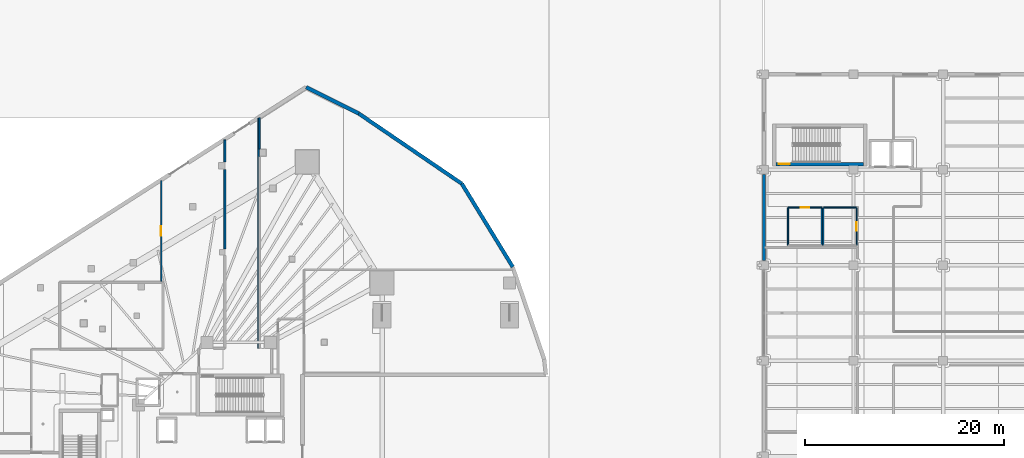
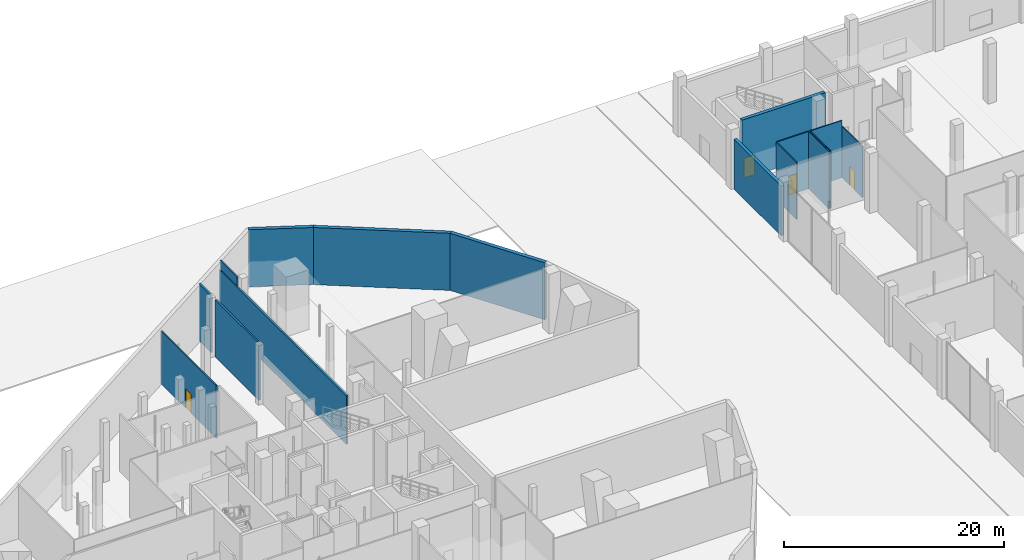
# One storey, part 32 of 45: 16 walls, 4 doors, 4 openings.
"""IFC4 building model written with IfcOpenShell, lengths in metres."""

from ifc_helpers import new_model, si_unit, direction, frame, frame_2d, origin, place, context, subcontext, project, spatial, rectangle, extrude, material, layer, layer_set, type_object, element, fill, save


model = new_model("IFC4")

# Units and contexts
model_context = context("Model", 3, precision=1e-05, world=origin(), true_north=direction((0.0, 1.0)))
body_context = subcontext(model_context, "Body", "Model", "MODEL_VIEW")
ifc_project = project(units=[si_unit("LENGTHUNIT", "METRE"), si_unit("AREAUNIT", "SQUARE_METRE"), si_unit("VOLUMEUNIT", "CUBIC_METRE"), si_unit("PLANEANGLEUNIT", "RADIAN"), si_unit("MASSUNIT", "GRAM", prefix="KILO")], contexts=[model_context])

# Site, building, storey
site_placement = place(None, origin())
site = spatial("IfcSite", under=ifc_project, at=site_placement, CompositionType="ELEMENT")
building_placement = place(site_placement, origin())
building = spatial("IfcBuilding", under=site, at=building_placement, Name="Qorvath Tower", CompositionType="ELEMENT")
storey_placement = place(building_placement, origin())
storey = spatial("IfcBuildingStorey", under=building, at=storey_placement, Name="L00", CompositionType="ELEMENT", Elevation=0.0)

# Walls
ifc_material_1 = material(Name="Gypsum shaftliner on steel studs", Category="steel")
ifc_layer_1 = layer(ifc_material_1, 0.179931640625)
ifc_layer_set_1 = layer_set([ifc_layer_1], Name="FW-LOBBY")
wall_type_1 = type_object("IfcWallType", Name="FW-LOBBY", PredefinedType="PARTITIONING", material=ifc_layer_set_1)
wall_1_placement = place(storey_placement, frame((-18.39990234375, 10.875, 0.0), z_axis=(0.0, 0.0, 1.0), x_axis=(0.0, 1.0, 0.0)))
element("IfcWall", 1, at=wall_1_placement, inside=storey, type_object=wall_type_1, Name="Interior Partition IW-T1-L00-008", PredefinedType="PARTITIONING", context=body_context, shape_type="SweptSolid", body=[
    extrude(rectangle(XDim=23.09423828125, YDim=0.179931640625, at=frame_2d((11.547119140625, 0.0))), origin(), (0.0, 0.0, 1.0), 5.376953125),
])
wall_2_placement = place(storey_placement, frame((-21.800048828125, 31.796142578125, 0.0), z_axis=(0.0, 0.0, 1.0), x_axis=(0.0, -1.0, 0.0)))
element("IfcWall", 2, at=wall_2_placement, inside=storey, type_object=wall_type_1, Name="Interior Partition IW-T1-L00-009", PredefinedType="PARTITIONING", context=body_context, shape_type="SweptSolid", body=[
    extrude(rectangle(XDim=2.200439453125, YDim=0.179931640625, at=frame_2d((1.10009765625, 0.0))), origin(), (0.0, 0.0, 1.0), 6.340087890625),
])
wall_3_placement = place(storey_placement, frame((-21.800048828125, 28.815673828125, 0.0), z_axis=(0.0, 0.0, 1.0), x_axis=(0.0, -1.0, 0.0)))
element("IfcWall", 3, at=wall_3_placement, inside=storey, type_object=wall_type_1, Name="Interior Partition IW-T1-L00-010", PredefinedType="PARTITIONING", context=body_context, shape_type="SweptSolid", body=[
    extrude(rectangle(XDim=7.980712890625, YDim=0.179931640625, at=frame_2d((3.990234375, 0.0))), origin(), (0.0, 0.0, 1.0), 6.340087890625),
])
ifc_material_2 = material(Name="Double acoustic gypsum board on steel studs", Category="steel")
ifc_layer_2 = layer(ifc_material_2, 0.159912109375)
ifc_layer_set_2 = layer_set([ifc_layer_2], Name="IW-ACOUSTIC-160")
wall_type_2 = type_object("IfcWallType", Name="IW-ACOUSTIC-160", PredefinedType="PARTITIONING", material=ifc_layer_set_2)
wall_4_placement = place(storey_placement, frame((-18.300048828125, 34.032958984375, 0.0), z_axis=(0.0, 0.0, 1.0), x_axis=(0.0, -1.0, 0.0)))
element("IfcWall", 4, at=wall_4_placement, inside=storey, type_object=wall_type_2, Name="Interior Partition IW-T1-L00-041", PredefinedType="PARTITIONING", context=body_context, shape_type="SweptSolid", body=[
    extrude(rectangle(XDim=3.14306640625, YDim=0.159912109375, at=frame_2d((1.571533203125, 0.0))), origin(), (0.0, 0.0, 1.0), 6.340087890625),
])

# Wall, opening, door
ifc_material_3 = material(Name="Gypsum board on metal studs with mineral wool", Category="gypsum")
ifc_layer_3 = layer(ifc_material_3, 0.125)
ifc_layer_set_3 = layer_set([ifc_layer_3], Name="IW-PART-125")
wall_type_3 = type_object("IfcWallType", Name="IW-PART-125", PredefinedType="PARTITIONING", material=ifc_layer_set_3)
wall_5_placement = place(storey_placement, frame((-28.199951171875, 17.610107421875, 0.0), z_axis=(0.0, 0.0, 1.0), x_axis=(0.0, 1.0, 0.0)))
wall_5 = element("IfcWall", 5, at=wall_5_placement, inside=storey, type_object=wall_type_3, Name="Interior Partition IW-T1-L00-053", PredefinedType="PARTITIONING", context=body_context, shape_type="SweptSolid", body=[
    extrude(rectangle(XDim=10.095458984375, YDim=0.125, at=frame_2d((5.0478515625, 0.0))), origin(), (0.0, 0.0, 1.0), 5.85302734375),
])
opening_1_placement = place(wall_5_placement, frame((4.57275390625, 0.0, 0.0)))
opening_1 = element("IfcOpeningElement", 6, at=opening_1_placement, cuts=wall_5, Name="Opening D-T1-L00-11", PredefinedType="OPENING", context=body_context, shape_type="SweptSolid", body=[
    extrude(rectangle(XDim=0.949951171875, YDim=2.14990234375, at=frame_2d((0.47509765625, 1.074951171875))), frame((0.0, 0.072509765625, 0.0), z_axis=(0.0, -1.0, 0.0), x_axis=(1.0, 0.0, 0.0)), (0.0, 0.0, 1.0), 0.14501953125),
])
ifc_material_4 = material(Name="Solid-core American white oak veneer", Category="wood")
door_type_1 = type_object("IfcDoorType", Name="D-01", OperationType="NOTDEFINED", PredefinedType="DOOR", material=ifc_material_4)
door_1_placement = place(opening_1_placement, origin())
door_1 = element("IfcDoor", 7, at=door_1_placement, inside=storey, type_object=door_type_1, Name="Security Screening and Concierge Suite Door D-T1-L00-11", OperationType="SINGLE_SWING_LEFT", OverallHeight=2.14990234375, OverallWidth=0.949951171875, PredefinedType="DOOR", context=body_context, shape_type="SweptSolid", body=[
    extrude(rectangle(XDim=0.949951171875, YDim=2.14990234375, at=frame_2d((0.47509765625, 1.074951171875))), frame((0.0, 0.02490234375, 0.0), z_axis=(0.0, -1.0, 0.0), x_axis=(1.0, 0.0, 0.0)), (0.0, 0.0, 1.0), 0.050048828125),
])
fill(opening_1, door_1)

# Wall
ifc_material_5 = material(Name="Moisture-resistant cement board on metal studs", Category="gypsum")
ifc_layer_4 = layer(ifc_material_5, 0.110107421875)
ifc_layer_set_4 = layer_set([ifc_layer_4], Name="IW-WC-110")
wall_type_4 = type_object("IfcWallType", Name="IW-WC-110", PredefinedType="PARTITIONING", material=ifc_layer_set_4)
wall_6_placement = place(storey_placement, frame((38.199951171875, 21.22509765625, 0.0), z_axis=(0.0, 0.0, 1.0), x_axis=(0.0, 1.0, 0.0)))
element("IfcWall", 8, at=wall_6_placement, inside=storey, type_object=wall_type_4, Name="Interior Partition IW-LB-L00-002", PredefinedType="PARTITIONING", context=body_context, shape_type="SweptSolid", body=[
    extrude(rectangle(XDim=3.75, YDim=0.110107421875, at=frame_2d((1.875, 0.0))), origin(), (0.0, 0.0, 1.0), 6.340087890625),
])

# Wall, opening, door
wall_7_placement = place(storey_placement, frame((38.175048828125, 25.0, 0.0), z_axis=(0.0, 0.0, 1.0), x_axis=(-1.0, 0.0, 0.0)))
wall_7 = element("IfcWall", 9, at=wall_7_placement, inside=storey, type_object=wall_type_4, Name="Interior Partition IW-LB-L00-003", PredefinedType="PARTITIONING", context=body_context, shape_type="SweptSolid", body=[
    extrude(rectangle(XDim=3.35009765625, YDim=0.110107421875, at=frame_2d((1.675048828125, 0.0))), origin(), (0.0, 0.0, 1.0), 6.340087890625),
])
opening_2_placement = place(wall_7_placement, frame((1.235107421875, 0.0, 0.0)))
opening_2 = element("IfcOpeningElement", 10, at=opening_2_placement, cuts=wall_7, Name="Opening D-LB-L00-01", PredefinedType="OPENING", context=body_context, shape_type="SweptSolid", body=[
    extrude(rectangle(XDim=0.8798828125, YDim=2.10009765625, at=frame_2d((0.43994140625, 1.050048828125))), frame((0.0, 0.06494140625, 0.0), z_axis=(0.0, -1.0, 0.0), x_axis=(1.0, 0.0, 0.0)), (0.0, 0.0, 1.0), 0.130126953125),
])
ifc_material_6 = material(Name="Painted galvanised hollow metal", Category="steel")
door_type_2 = type_object("IfcDoorType", Name="FD-60N", OperationType="NOTDEFINED", PredefinedType="DOOR", material=ifc_material_6)
door_2_placement = place(opening_2_placement, origin())
door_2 = element("IfcDoor", 11, at=door_2_placement, inside=storey, type_object=door_type_2, Name="WC East Wing North L00 Door D-LB-L00-01", OperationType="SINGLE_SWING_LEFT", OverallHeight=2.10009765625, OverallWidth=0.8798828125, PredefinedType="DOOR", context=body_context, shape_type="SweptSolid", body=[
    extrude(rectangle(XDim=0.8798828125, YDim=2.10009765625, at=frame_2d((0.43994140625, 1.050048828125))), frame((0.0, 0.02490234375, 0.0), z_axis=(0.0, -1.0, 0.0), x_axis=(1.0, 0.0, 0.0)), (0.0, 0.0, 1.0), 0.050048828125),
])
fill(opening_2, door_2)

# Wall
wall_8_placement = place(storey_placement, frame((34.800048828125, 24.97509765625, 0.0), z_axis=(0.0, 0.0, 1.0), x_axis=(0.0, -1.0, 0.0)))
element("IfcWall", 12, at=wall_8_placement, inside=storey, type_object=wall_type_4, Name="Interior Partition IW-LB-L00-004", PredefinedType="PARTITIONING", context=body_context, shape_type="SweptSolid", body=[
    extrude(rectangle(XDim=3.75, YDim=0.110107421875, at=frame_2d((1.875, 0.0))), origin(), (0.0, 0.0, 1.0), 6.340087890625),
])

# Wall, opening, door
wall_9_placement = place(storey_placement, frame((41.699951171875, 21.22509765625, 0.0), z_axis=(0.0, 0.0, 1.0), x_axis=(0.0, 1.0, 0.0)))
wall_9 = element("IfcWall", 13, at=wall_9_placement, inside=storey, type_object=wall_type_4, Name="Interior Partition IW-LB-L00-006", PredefinedType="PARTITIONING", context=body_context, shape_type="SweptSolid", body=[
    extrude(rectangle(XDim=3.75, YDim=0.110107421875, at=frame_2d((1.875, 0.0))), origin(), (0.0, 0.0, 1.0), 5.694091796875),
])
opening_3_placement = place(wall_9_placement, frame((1.43505859375, 0.0, 0.0)))
opening_3 = element("IfcOpeningElement", 14, at=opening_3_placement, cuts=wall_9, Name="Opening D-LB-L00-02", PredefinedType="OPENING", context=body_context, shape_type="SweptSolid", body=[
    extrude(rectangle(XDim=0.8798828125, YDim=2.10009765625, at=frame_2d((0.43994140625, 1.050048828125))), frame((0.0, 0.06494140625, 0.0), z_axis=(0.0, -1.0, 0.0), x_axis=(1.0, 0.0, 0.0)), (0.0, 0.0, 1.0), 0.130126953125),
])
door_3_placement = place(opening_3_placement, origin())
door_3 = element("IfcDoor", 15, at=door_3_placement, inside=storey, type_object=door_type_2, Name="WC East Wing South L00 Door D-LB-L00-02", OperationType="SINGLE_SWING_RIGHT", OverallHeight=2.10009765625, OverallWidth=0.8798828125, PredefinedType="DOOR", context=body_context, shape_type="SweptSolid", body=[
    extrude(rectangle(XDim=0.8798828125, YDim=2.10009765625, at=frame_2d((0.43994140625, 1.050048828125))), frame((0.0, 0.02490234375, 0.0), z_axis=(0.0, -1.0, 0.0), x_axis=(1.0, 0.0, 0.0)), (0.0, 0.0, 1.0), 0.050048828125),
])
fill(opening_3, door_3)

# Walls
wall_10_placement = place(storey_placement, frame((41.675048828125, 25.0, 0.0), z_axis=(0.0, 0.0, 1.0), x_axis=(-1.0, 0.0, 0.0)))
element("IfcWall", 16, at=wall_10_placement, inside=storey, type_object=wall_type_4, Name="Interior Partition IW-LB-L00-007", PredefinedType="PARTITIONING", context=body_context, shape_type="SweptSolid", body=[
    extrude(rectangle(XDim=3.300048828125, YDim=0.110107421875, at=frame_2d((1.64990234375, 0.0))), origin(), (0.0, 0.0, 1.0), 6.340087890625),
])
wall_11_placement = place(storey_placement, frame((38.35009765625, 24.97509765625, 0.0), z_axis=(0.0, 0.0, 1.0), x_axis=(0.0, -1.0, 0.0)))
element("IfcWall", 17, at=wall_11_placement, inside=storey, type_object=wall_type_4, Name="Interior Partition IW-LB-L00-008", PredefinedType="PARTITIONING", context=body_context, shape_type="SweptSolid", body=[
    extrude(rectangle(XDim=3.75, YDim=0.110107421875, at=frame_2d((1.875, 0.0))), origin(), (0.0, 0.0, 1.0), 6.340087890625),
])

# Wall, opening, door
ifc_material_7 = material(Name="Concrete C60/75", Category="concrete")
ifc_layer_5 = layer(ifc_material_7, 0.35009765625)
ifc_layer_set_5 = layer_set([ifc_layer_5], Name="SW-STAIR")
wall_type_5 = type_object("IfcWallType", Name="SW-STAIR", PredefinedType="SHEAR", material=ifc_layer_set_5)
wall_12_placement = place(storey_placement, frame((42.385009765625, 29.375, 0.0), z_axis=(0.0, 0.0, 1.0), x_axis=(-1.0, 0.0, 0.0)))
wall_12 = element("IfcWall", 18, at=wall_12_placement, inside=storey, type_object=wall_type_5, Name="Stair LS1 Shear Wall L00 LEFT", PredefinedType="SHEAR", context=body_context, shape_type="SweptSolid", body=[
    extrude(rectangle(XDim=8.77001953125, YDim=0.35009765625, at=frame_2d((4.385009765625, 0.0))), origin(), (0.0, 0.0, 1.0), 6.594970703125),
])
opening_4_placement = place(wall_12_placement, frame((7.389892578125, 0.0, 0.0)))
opening_4 = element("IfcOpeningElement", 19, at=opening_4_placement, cuts=wall_12, Name="Opening D-LS1-L00", PredefinedType="OPENING", context=body_context, shape_type="SweptSolid", body=[
    extrude(rectangle(XDim=1.10009765625, YDim=2.199951171875, at=frame_2d((0.550048828125, 1.10009765625))), frame((0.0, 0.18505859375, 0.0), z_axis=(0.0, -1.0, 0.0), x_axis=(1.0, 0.0, 0.0)), (0.0, 0.0, 1.0), 0.3701171875),
])
ifc_material_8 = material(Name="Painted galvanised hollow metal", Category="steel")
door_type_3 = type_object("IfcDoorType", Name="FD-90", OperationType="NOTDEFINED", PredefinedType="DOOR", material=ifc_material_8)
door_4_placement = place(opening_4_placement, origin())
door_4 = element("IfcDoor", 20, at=door_4_placement, inside=storey, type_object=door_type_3, Name="Stair LS1 Fire Door L00", OperationType="SINGLE_SWING_LEFT", OverallHeight=2.199951171875, OverallWidth=1.10009765625, PredefinedType="DOOR", context=body_context, shape_type="SweptSolid", body=[
    extrude(rectangle(XDim=1.10009765625, YDim=2.199951171875, at=frame_2d((0.550048828125, 1.10009765625))), frame((0.0, 0.02490234375, 0.0), z_axis=(0.0, -1.0, 0.0), x_axis=(1.0, 0.0, 0.0)), (0.0, 0.0, 1.0), 0.050048828125),
])
fill(opening_4, door_4)

# Walls
ifc_material_9 = material(Name="Precast concrete C45/55", Category="concrete")
ifc_layer_6 = layer(ifc_material_9, 0.320068359375)
ifc_layer_set_6 = layer_set([ifc_layer_6], Name="WL-EW-LIB-320")
wall_type_6 = type_object("IfcWallType", Name="WL-EW-LIB-320", PredefinedType="SOLIDWALL", material=ifc_layer_set_6)
wall_13_placement = place(storey_placement, frame((32.39990234375, 19.695068359375, 0.0), z_axis=(0.0, 0.0, 1.0), x_axis=(0.0, 1.0, 0.0)))
element("IfcWall", 21, at=wall_13_placement, inside=storey, type_object=wall_type_6, Name="Library West Precast Facade Wall L00-7", PredefinedType="SOLIDWALL", context=body_context, shape_type="SweptSolid", body=[
    extrude(rectangle(XDim=8.60986328125, YDim=0.320068359375, at=frame_2d((4.304931640625, 0.0))), origin(), (0.0, 0.0, 1.0), 5.537109375),
])
ifc_material_10 = material(Name="Precast concrete C50/60", Category="concrete")
ifc_layer_7 = layer(ifc_material_10, 0.3798828125)
ifc_layer_set_7 = layer_set([ifc_layer_7], Name="WL-EW-POD-380")
wall_type_7 = type_object("IfcWallType", Name="WL-EW-POD-380", PredefinedType="SOLIDWALL", material=ifc_layer_set_7)
wall_14_placement = place(storey_placement, frame((2.0205078125, 27.39501953125, 0.0), z_axis=(0.0, 0.0, 1.0), x_axis=(0.521922160909, -0.852993117178, 0.0)))
element("IfcWall", 22, at=wall_14_placement, inside=storey, type_object=wall_type_7, Name="Tower Podium Precast Facade Wall L00-6.1", PredefinedType="SOLIDWALL", context=body_context, shape_type="SweptSolid", body=[
    extrude(rectangle(XDim=9.807861328125, YDim=0.3798828125, at=frame_2d((4.90380859375, 0.0))), origin(), (0.0, 0.0, 1.0), 6.340087890625),
])
wall_15_placement = place(storey_placement, frame((-8.3359375, 34.44482421875, 0.0), z_axis=(0.0, 0.0, 1.0), x_axis=(0.826650936963, -0.562715050819, 0.0)))
element("IfcWall", 23, at=wall_15_placement, inside=storey, type_object=wall_type_7, Name="Tower Podium Precast Facade Wall L00-7.1", PredefinedType="SOLIDWALL", context=body_context, shape_type="SweptSolid", body=[
    extrude(rectangle(XDim=12.528076171875, YDim=0.3798828125, at=frame_2d((6.26416015625, 0.0))), origin(), (0.0, 0.0, 1.0), 6.340087890625),
])
wall_16_placement = place(storey_placement, frame((-13.63525390625, 37.094482421875, 0.0), z_axis=(0.0, 0.0, 1.0), x_axis=(0.894427191, -0.4472135955, 0.0)))
element("IfcWall", 24, at=wall_16_placement, inside=storey, type_object=wall_type_7, Name="Tower Podium Precast Facade Wall L00-8.1", PredefinedType="SOLIDWALL", context=body_context, shape_type="SweptSolid", body=[
    extrude(rectangle(XDim=5.9248046875, YDim=0.3798828125, at=frame_2d((2.96240234375, 0.0))), origin(), (0.0, 0.0, 1.0), 6.340087890625),
])

save(model, "model.ifc")
